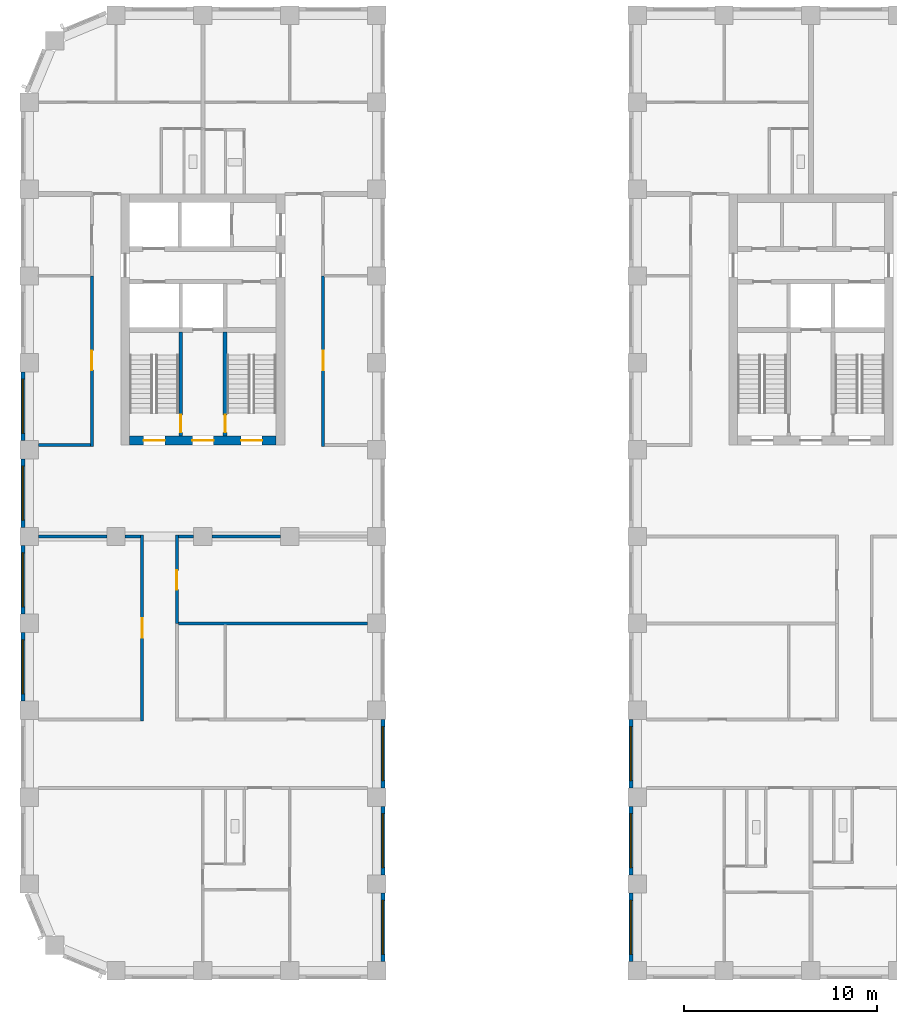
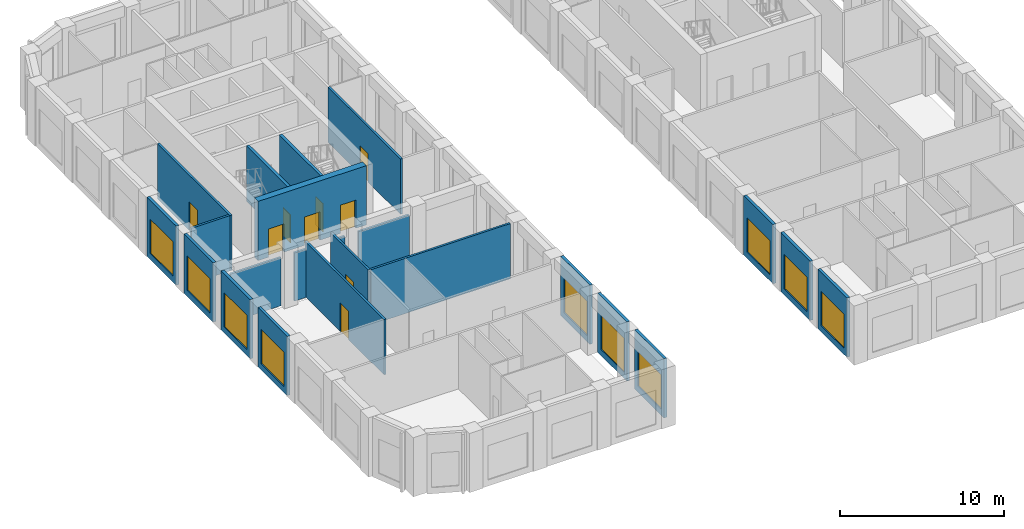
# One storey, part 3 of 13: 23 walls, 10 windows, 9 doors, 19 openings.
"""IFC4 building model written with IfcOpenShell, lengths in metres."""

from ifc_helpers import new_model, si_unit, direction, frame, frame_2d, origin, place, context, subcontext, project, spatial, rectangle, extrude, material, layer, layer_set, type_object, element, fill, save


model = new_model("IFC4")

# Units and contexts
model_context = context("Model", 3, precision=1e-05, world=origin(), true_north=direction((0.0, 1.0)))
body_context = subcontext(model_context, "Body", "Model", "MODEL_VIEW")
ifc_project = project(units=[si_unit("LENGTHUNIT", "METRE"), si_unit("AREAUNIT", "SQUARE_METRE"), si_unit("VOLUMEUNIT", "CUBIC_METRE"), si_unit("PLANEANGLEUNIT", "RADIAN"), si_unit("MASSUNIT", "GRAM", prefix="KILO")], contexts=[model_context])

# Site, building, storey
site_placement = place(None, origin())
site = spatial("IfcSite", under=ifc_project, at=site_placement, CompositionType="ELEMENT")
building_placement = place(site_placement, origin())
building = spatial("IfcBuilding", under=site, at=building_placement, Name="Girih Gate Residences", CompositionType="ELEMENT")
storey_placement = place(building_placement, frame((0.0, 0.0, 159.39990234375)))
storey = spatial("IfcBuildingStorey", under=building, at=storey_placement, Name="L44", CompositionType="ELEMENT", Elevation=159.39990234375)

# Walls
ifc_material_1 = material(Name="Gypsum board on steel studs", Category="steel")
ifc_layer_1 = layer(ifc_material_1, 0.14990234375)
ifc_layer_set_1 = layer_set([ifc_layer_1], Name="Compartment wall 150 mm")
wall_type_1 = type_object("IfcWallType", Name="Compartment wall 150 mm", PredefinedType="PARTITIONING", material=ifc_layer_set_1)
wall_1_placement = place(storey_placement, frame((7.72509765625, 22.5, 0.0), z_axis=(0.0, 0.0, 1.0), x_axis=(1.0, 0.0, 0.0)))
element("IfcWall", 1, at=wall_1_placement, inside=storey, type_object=wall_type_1, Name="L44 partition", PredefinedType="PARTITIONING", context=body_context, shape_type="SweptSolid", body=[
    extrude(rectangle(XDim=0.7998046875, YDim=0.14990234375, at=frame_2d((0.39990234375, 0.0))), origin(), (0.0, 0.0, 1.0), 3.580078125),
])
wall_2_placement = place(storey_placement, frame((9.47509765625, 22.5, 0.0), z_axis=(0.0, 0.0, 1.0), x_axis=(1.0, 0.0, 0.0)))
element("IfcWall", 2, at=wall_2_placement, inside=storey, type_object=wall_type_1, Name="L44 partition", PredefinedType="PARTITIONING", context=body_context, shape_type="SweptSolid", body=[
    extrude(rectangle(XDim=3.5498046875, YDim=0.14990234375, at=frame_2d((1.77490234375, 0.0))), origin(), (0.0, 0.0, 1.0), 3.580078125),
])

# Wall, opening, door
wall_3_placement = place(storey_placement, frame((7.64990234375, 22.574951171875, 0.0), z_axis=(0.0, 0.0, 1.0), x_axis=(0.0, -1.0, 0.0)))
wall_3 = element("IfcWall", 3, at=wall_3_placement, inside=storey, type_object=wall_type_1, Name="L44 partition", PredefinedType="PARTITIONING", context=body_context, shape_type="SweptSolid", body=[
    extrude(rectangle(XDim=4.574951171875, YDim=0.14990234375, at=frame_2d((2.28759765625, 0.0))), origin(), (0.0, 0.0, 1.0), 4.10009765625),
])
opening_1_placement = place(wall_3_placement, frame((1.824951171875, 0.0, 0.0)))
opening_1 = element("IfcOpeningElement", 4, at=opening_1_placement, cuts=wall_3, Name="Opening A44-033", PredefinedType="OPENING", context=body_context, shape_type="SweptSolid", body=[
    extrude(rectangle(XDim=1.0, YDim=2.10009765625, at=frame_2d((0.5, 1.050048828125))), frame((0.0, 0.0849609375, 0.0), z_axis=(0.0, -1.0, 0.0), x_axis=(1.0, 0.0, 0.0)), (0.0, 0.0, 1.0), 0.169921875),
])
ifc_material_2 = material(Name="Timber, fire-rated core", Category="wood")
door_type_1 = type_object("IfcDoorType", Name="Amenity room door 1000x2100 FD30S", OperationType="NOTDEFINED", PredefinedType="DOOR", material=ifc_material_2)
door_1_placement = place(opening_1_placement, origin())
door_1 = element("IfcDoor", 5, at=door_1_placement, inside=storey, type_object=door_type_1, Name="Door A44-033", OperationType="SINGLE_SWING_RIGHT", OverallHeight=2.10009765625, OverallWidth=1.0, PredefinedType="DOOR", context=body_context, shape_type="SweptSolid", body=[
    extrude(rectangle(XDim=1.0, YDim=2.10009765625, at=frame_2d((0.5, 1.050048828125))), frame((0.0, 0.02490234375, 0.0), z_axis=(0.0, -1.0, 0.0), x_axis=(1.0, 0.0, 0.0)), (0.0, 0.0, 1.0), 0.050048828125),
])
fill(opening_1, door_1)

# Wall
wall_4_placement = place(storey_placement, frame((7.72509765625, 18.0, 0.0), z_axis=(0.0, 0.0, 1.0), x_axis=(1.0, 0.0, 0.0)))
element("IfcWall", 6, at=wall_4_placement, inside=storey, type_object=wall_type_1, Name="L44 partition", PredefinedType="PARTITIONING", context=body_context, shape_type="SweptSolid", body=[
    extrude(rectangle(XDim=9.7998046875, YDim=0.14990234375, at=frame_2d((4.89990234375, 0.0))), origin(), (0.0, 0.0, 1.0), 4.10009765625),
])

# Wall, opening, door
wall_5_placement = place(storey_placement, frame((15.22509765625, 36.0, 0.0), z_axis=(0.0, 0.0, 1.0), x_axis=(0.0, -1.0, 0.0)))
wall_5 = element("IfcWall", 7, at=wall_5_placement, inside=storey, type_object=wall_type_1, Name="L44 partition", PredefinedType="PARTITIONING", context=body_context, shape_type="SweptSolid", body=[
    extrude(rectangle(XDim=8.824951171875, YDim=0.14990234375, at=frame_2d((4.41259765625, 0.0))), origin(), (0.0, 0.0, 1.0), 4.10009765625),
])
opening_2_placement = place(wall_5_placement, frame((3.875, 0.0, 0.0)))
opening_2 = element("IfcOpeningElement", 8, at=opening_2_placement, cuts=wall_5, Name="Opening A44-043", PredefinedType="OPENING", context=body_context, shape_type="SweptSolid", body=[
    extrude(rectangle(XDim=1.0, YDim=2.10009765625, at=frame_2d((0.5, 1.050048828125))), frame((0.0, 0.0849609375, 0.0), z_axis=(0.0, -1.0, 0.0), x_axis=(1.0, 0.0, 0.0)), (0.0, 0.0, 1.0), 0.169921875),
])
door_2_placement = place(opening_2_placement, origin())
door_2 = element("IfcDoor", 9, at=door_2_placement, inside=storey, type_object=door_type_1, Name="Door A44-043", OperationType="SINGLE_SWING_LEFT", OverallHeight=2.10009765625, OverallWidth=1.0, PredefinedType="DOOR", context=body_context, shape_type="SweptSolid", body=[
    extrude(rectangle(XDim=1.0, YDim=2.10009765625, at=frame_2d((0.5, 1.050048828125))), frame((0.0, 0.02490234375, 0.0), z_axis=(0.0, -1.0, 0.0), x_axis=(1.0, 0.0, 0.0)), (0.0, 0.0, 1.0), 0.050048828125),
])
fill(opening_2, door_2)

# Wall
wall_6_placement = place(storey_placement, frame((0.47509765625, 27.25, 0.0), z_axis=(0.0, 0.0, 1.0), x_axis=(1.0, 0.0, 0.0)))
element("IfcWall", 10, at=wall_6_placement, inside=storey, type_object=wall_type_1, Name="L44 partition", PredefinedType="PARTITIONING", context=body_context, shape_type="SweptSolid", body=[
    extrude(rectangle(XDim=2.699951171875, YDim=0.14990234375, at=frame_2d((1.35009765625, 0.0))), origin(), (0.0, 0.0, 1.0), 4.10009765625),
])

# Wall, opening, door
wall_7_placement = place(storey_placement, frame((3.25, 27.175048828125, 0.0), z_axis=(0.0, 0.0, 1.0), x_axis=(0.0, 1.0, 0.0)))
wall_7 = element("IfcWall", 11, at=wall_7_placement, inside=storey, type_object=wall_type_1, Name="L44 partition", PredefinedType="PARTITIONING", context=body_context, shape_type="SweptSolid", body=[
    extrude(rectangle(XDim=8.824951171875, YDim=0.14990234375, at=frame_2d((4.41259765625, 0.0))), origin(), (0.0, 0.0, 1.0), 4.10009765625),
])
opening_3_placement = place(wall_7_placement, frame((3.949951171875, 0.0, 0.0)))
opening_3 = element("IfcOpeningElement", 12, at=opening_3_placement, cuts=wall_7, Name="Opening A44-045", PredefinedType="OPENING", context=body_context, shape_type="SweptSolid", body=[
    extrude(rectangle(XDim=1.0, YDim=2.10009765625, at=frame_2d((0.5, 1.050048828125))), frame((0.0, 0.0849609375, 0.0), z_axis=(0.0, -1.0, 0.0), x_axis=(1.0, 0.0, 0.0)), (0.0, 0.0, 1.0), 0.169921875),
])
door_3_placement = place(opening_3_placement, origin())
door_3 = element("IfcDoor", 13, at=door_3_placement, inside=storey, type_object=door_type_1, Name="Door A44-045", OperationType="SINGLE_SWING_RIGHT", OverallHeight=2.10009765625, OverallWidth=1.0, PredefinedType="DOOR", context=body_context, shape_type="SweptSolid", body=[
    extrude(rectangle(XDim=1.0, YDim=2.10009765625, at=frame_2d((0.5, 1.050048828125))), frame((0.0, 0.02490234375, 0.0), z_axis=(0.0, -1.0, 0.0), x_axis=(1.0, 0.0, 0.0)), (0.0, 0.0, 1.0), 0.050048828125),
])
fill(opening_3, door_3)

# Walls
wall_8_placement = place(storey_placement, frame((4.97509765625, 22.5, 0.0), z_axis=(0.0, 0.0, 1.0), x_axis=(1.0, 0.0, 0.0)))
element("IfcWall", 14, at=wall_8_placement, inside=storey, type_object=wall_type_1, Name="L44 partition", PredefinedType="PARTITIONING", context=body_context, shape_type="SweptSolid", body=[
    extrude(rectangle(XDim=0.7998046875, YDim=0.14990234375, at=frame_2d((0.39990234375, 0.0))), origin(), (0.0, 0.0, 1.0), 3.580078125),
])
wall_9_placement = place(storey_placement, frame((0.47509765625, 22.5, 0.0), z_axis=(0.0, 0.0, 1.0), x_axis=(1.0, 0.0, 0.0)))
element("IfcWall", 15, at=wall_9_placement, inside=storey, type_object=wall_type_1, Name="L44 partition", PredefinedType="PARTITIONING", context=body_context, shape_type="SweptSolid", body=[
    extrude(rectangle(XDim=3.5498046875, YDim=0.14990234375, at=frame_2d((1.77490234375, 0.0))), origin(), (0.0, 0.0, 1.0), 3.580078125),
])

# Wall, opening, door
wall_10_placement = place(storey_placement, frame((5.85009765625, 12.949951171875, 0.0), z_axis=(0.0, 0.0, 1.0), x_axis=(0.0, 1.0, 0.0)))
wall_10 = element("IfcWall", 16, at=wall_10_placement, inside=storey, type_object=wall_type_1, Name="L44 partition", PredefinedType="PARTITIONING", context=body_context, shape_type="SweptSolid", body=[
    extrude(rectangle(XDim=9.625, YDim=0.14990234375, at=frame_2d((4.8125, 0.0))), origin(), (0.0, 0.0, 1.0), 4.10009765625),
])
opening_4_placement = place(wall_10_placement, frame((4.3125, 0.0, 0.0)))
opening_4 = element("IfcOpeningElement", 17, at=opening_4_placement, cuts=wall_10, Name="Opening A44-048", PredefinedType="OPENING", context=body_context, shape_type="SweptSolid", body=[
    extrude(rectangle(XDim=1.0, YDim=2.10009765625, at=frame_2d((0.5, 1.050048828125))), frame((0.0, 0.0849609375, 0.0), z_axis=(0.0, -1.0, 0.0), x_axis=(1.0, 0.0, 0.0)), (0.0, 0.0, 1.0), 0.169921875),
])
door_4_placement = place(opening_4_placement, origin())
door_4 = element("IfcDoor", 18, at=door_4_placement, inside=storey, type_object=door_type_1, Name="Door A44-048", OperationType="SINGLE_SWING_RIGHT", OverallHeight=2.10009765625, OverallWidth=1.0, PredefinedType="DOOR", context=body_context, shape_type="SweptSolid", body=[
    extrude(rectangle(XDim=1.0, YDim=2.10009765625, at=frame_2d((0.5, 1.050048828125))), frame((0.0, 0.02490234375, 0.0), z_axis=(0.0, -1.0, 0.0), x_axis=(1.0, 0.0, 0.0)), (0.0, 0.0, 1.0), 0.050048828125),
])
fill(opening_4, door_4)

# Wall, openings, doors
ifc_material_3 = material(Name="Concrete C60/75", Category="concrete")
ifc_layer_2 = layer(ifc_material_3, 0.449951171875)
ifc_layer_set_2 = layer_set([ifc_layer_2], Name="Core wall RC 450 Concrete C60/75")
wall_type_2 = type_object("IfcWallType", Name="Core wall RC 450 Concrete C60/75", PredefinedType="SOLIDWALL", material=ifc_layer_set_2)
wall_11_placement = place(storey_placement, frame((5.199951171875, 27.47509765625, 0.0), z_axis=(0.0, 0.0, 1.0), x_axis=(1.0, 0.0, 0.0)))
wall_11 = element("IfcWall", 19, at=wall_11_placement, inside=storey, type_object=wall_type_2, Name="Core wall W-S L44", PredefinedType="SOLIDWALL", context=body_context, shape_type="SweptSolid", body=[
    extrude(rectangle(XDim=7.60009765625, YDim=0.449951171875, at=frame_2d((3.800048828125, 0.0))), origin(), (0.0, 0.0, 1.0), 4.400146484375),
])
opening_5_placement = place(wall_11_placement, frame((0.72509765625, 0.0, 0.0)))
opening_5 = element("IfcOpeningElement", 20, at=opening_5_placement, cuts=wall_11, Name="Opening D-L44-W-008", PredefinedType="OPENING", context=body_context, shape_type="SweptSolid", body=[
    extrude(rectangle(XDim=1.10009765625, YDim=2.10009765625, at=frame_2d((0.550048828125, 1.050048828125))), frame((0.0, 0.23486328125, 0.0), z_axis=(0.0, -1.0, 0.0), x_axis=(1.0, 0.0, 0.0)), (0.0, 0.0, 1.0), 0.469970703125),
])
opening_6_placement = place(wall_11_placement, frame((3.25, 0.0, 0.0)))
opening_6 = element("IfcOpeningElement", 21, at=opening_6_placement, cuts=wall_11, Name="Opening D-L44-W-009", PredefinedType="OPENING", context=body_context, shape_type="SweptSolid", body=[
    extrude(rectangle(XDim=1.10009765625, YDim=2.10009765625, at=frame_2d((0.550048828125, 1.050048828125))), frame((0.0, 0.23486328125, 0.0), z_axis=(0.0, -1.0, 0.0), x_axis=(1.0, 0.0, 0.0)), (0.0, 0.0, 1.0), 0.469970703125),
])
opening_7_placement = place(wall_11_placement, frame((5.77490234375, 0.0, 0.0)))
opening_7 = element("IfcOpeningElement", 22, at=opening_7_placement, cuts=wall_11, Name="Opening D-L44-W-010", PredefinedType="OPENING", context=body_context, shape_type="SweptSolid", body=[
    extrude(rectangle(XDim=1.10009765625, YDim=2.10009765625, at=frame_2d((0.550048828125, 1.050048828125))), frame((0.0, 0.23486328125, 0.0), z_axis=(0.0, -1.0, 0.0), x_axis=(1.0, 0.0, 0.0)), (0.0, 0.0, 1.0), 0.469970703125),
])
ifc_material_4 = material(Name="Painted steel, fire-resisting", Category="steel")
door_type_2 = type_object("IfcDoorType", Name="Fire door 1100x2100", OperationType="SINGLE_SWING_LEFT", PredefinedType="DOOR", material=ifc_material_4)
door_5_placement = place(opening_5_placement, origin())
door_5 = element("IfcDoor", 23, at=door_5_placement, inside=storey, type_object=door_type_2, Name="L44 W core door sta-out", OperationType="SINGLE_SWING_LEFT", OverallHeight=2.10009765625, OverallWidth=1.10009765625, PredefinedType="DOOR", context=body_context, shape_type="SweptSolid", body=[
    extrude(rectangle(XDim=1.10009765625, YDim=2.10009765625, at=frame_2d((0.550048828125, 1.050048828125))), frame((0.0, 0.02490234375, 0.0), z_axis=(0.0, -1.0, 0.0), x_axis=(1.0, 0.0, 0.0)), (0.0, 0.0, 1.0), 0.050048828125),
])
fill(opening_5, door_5)
door_6_placement = place(opening_6_placement, origin())
door_6 = element("IfcDoor", 24, at=door_6_placement, inside=storey, type_object=door_type_2, Name="L44 W core door ffl-out", OperationType="SINGLE_SWING_LEFT", OverallHeight=2.10009765625, OverallWidth=1.10009765625, PredefinedType="DOOR", context=body_context, shape_type="SweptSolid", body=[
    extrude(rectangle(XDim=1.10009765625, YDim=2.10009765625, at=frame_2d((0.550048828125, 1.050048828125))), frame((0.0, 0.02490234375, 0.0), z_axis=(0.0, -1.0, 0.0), x_axis=(1.0, 0.0, 0.0)), (0.0, 0.0, 1.0), 0.050048828125),
])
fill(opening_6, door_6)
door_7_placement = place(opening_7_placement, origin())
door_7 = element("IfcDoor", 25, at=door_7_placement, inside=storey, type_object=door_type_2, Name="L44 W core door stb-out", OperationType="SINGLE_SWING_LEFT", OverallHeight=2.10009765625, OverallWidth=1.10009765625, PredefinedType="DOOR", context=body_context, shape_type="SweptSolid", body=[
    extrude(rectangle(XDim=1.10009765625, YDim=2.10009765625, at=frame_2d((0.550048828125, 1.050048828125))), frame((0.0, 0.02490234375, 0.0), z_axis=(0.0, -1.0, 0.0), x_axis=(1.0, 0.0, 0.0)), (0.0, 0.0, 1.0), 0.050048828125),
])
fill(opening_7, door_7)

# Wall, opening, window
ifc_material_5 = material(Name="Precast concrete C50/60", Category="concrete")
ifc_layer_3 = layer(ifc_material_5, 0.06005859375, Name="Outer leaf")
ifc_material_6 = material(Name="Rigid PIR insulation")
ifc_layer_4 = layer(ifc_material_6, 0.090087890625, Name="Insulation")
ifc_material_7 = material(Name="Precast concrete C40/50", Category="concrete")
ifc_layer_5 = layer(ifc_material_7, 0.050048828125, Name="Inner leaf")
ifc_layer_set_3 = layer_set([ifc_layer_3, ifc_layer_4, ifc_layer_5], Name="Precast concrete C50/60 external wall 200")
wall_type_3 = type_object("IfcWallType", Name="Precast concrete C50/60 external wall 200", PredefinedType="SOLIDWALL", material=ifc_layer_set_3)
wall_12_placement = place(storey_placement, frame((-0.324951171875, 27.47509765625, 0.0), z_axis=(0.0, 0.0, 1.0), x_axis=(0.0, 1.0, 0.0)))
wall_12 = element("IfcWall", 26, at=wall_12_placement, inside=storey, type_object=wall_type_3, Name="External wall W0000_0450.3", PredefinedType="SOLIDWALL", context=body_context, shape_type="SweptSolid", body=[
    extrude(rectangle(XDim=3.5498046875, YDim=0.199951171875, at=frame_2d((1.77490234375, 0.0))), origin(), (0.0, 0.0, 1.0), 4.400146484375),
])
opening_8_placement = place(wall_12_placement, frame((0.375, 0.0, 0.449951171875)))
opening_8 = element("IfcOpeningElement", 27, at=opening_8_placement, cuts=wall_12, Name="Opening W-6A", PredefinedType="OPENING", context=body_context, shape_type="SweptSolid", body=[
    extrude(rectangle(XDim=2.800048828125, YDim=2.550048828125, at=frame_2d((1.39990234375, 1.27490234375))), frame((0.0, 0.10986328125, 0.0), z_axis=(0.0, -1.0, 0.0), x_axis=(1.0, 0.0, 0.0)), (0.0, 0.0, 1.0), 0.219970703125),
])
ifc_material_8 = material(Name="Double glazing in aluminium frame", Category="aluminium")
window_type = type_object("IfcWindowType", Name="Window W-6A 2800x2550", PartitioningType="SINGLE_PANEL", PredefinedType="WINDOW", material=ifc_material_8)
window_1_placement = place(opening_8_placement, origin())
window_1 = element("IfcWindow", 28, at=window_1_placement, inside=storey, type_object=window_type, Name="Window W-6A W0000_0450.3", OverallHeight=2.550048828125, OverallWidth=2.800048828125, PartitioningType="SINGLE_PANEL", PredefinedType="WINDOW", context=body_context, shape_type="SweptSolid", body=[
    extrude(rectangle(XDim=2.800048828125, YDim=2.550048828125, at=frame_2d((1.39990234375, 1.27490234375))), frame((0.0, 0.030029296875, 0.0), z_axis=(0.0, -1.0, 0.0), x_axis=(1.0, 0.0, 0.0)), (0.0, 0.0, 1.0), 0.06005859375),
])
fill(opening_8, window_1)

wall_13_placement = place(storey_placement, frame((-0.324951171875, 22.97509765625, 0.0), z_axis=(0.0, 0.0, 1.0), x_axis=(0.0, 1.0, 0.0)))
wall_13 = element("IfcWall", 29, at=wall_13_placement, inside=storey, type_object=wall_type_3, Name="External wall W0000_0450.4", PredefinedType="SOLIDWALL", context=body_context, shape_type="SweptSolid", body=[
    extrude(rectangle(XDim=3.5498046875, YDim=0.199951171875, at=frame_2d((1.77490234375, 0.0))), origin(), (0.0, 0.0, 1.0), 4.400146484375),
])
opening_9_placement = place(wall_13_placement, frame((0.375, 0.0, 0.449951171875)))
opening_9 = element("IfcOpeningElement", 30, at=opening_9_placement, cuts=wall_13, Name="Opening W-6A", PredefinedType="OPENING", context=body_context, shape_type="SweptSolid", body=[
    extrude(rectangle(XDim=2.800048828125, YDim=2.550048828125, at=frame_2d((1.39990234375, 1.27490234375))), frame((0.0, 0.10986328125, 0.0), z_axis=(0.0, -1.0, 0.0), x_axis=(1.0, 0.0, 0.0)), (0.0, 0.0, 1.0), 0.219970703125),
])
window_2_placement = place(opening_9_placement, origin())
window_2 = element("IfcWindow", 31, at=window_2_placement, inside=storey, type_object=window_type, Name="Window W-6A W0000_0450.4", OverallHeight=2.550048828125, OverallWidth=2.800048828125, PartitioningType="SINGLE_PANEL", PredefinedType="WINDOW", context=body_context, shape_type="SweptSolid", body=[
    extrude(rectangle(XDim=2.800048828125, YDim=2.550048828125, at=frame_2d((1.39990234375, 1.27490234375))), frame((0.0, 0.030029296875, 0.0), z_axis=(0.0, -1.0, 0.0), x_axis=(1.0, 0.0, 0.0)), (0.0, 0.0, 1.0), 0.06005859375),
])
fill(opening_9, window_2)

wall_14_placement = place(storey_placement, frame((-0.324951171875, 18.47509765625, 0.0), z_axis=(0.0, 0.0, 1.0), x_axis=(0.0, 1.0, 0.0)))
wall_14 = element("IfcWall", 32, at=wall_14_placement, inside=storey, type_object=wall_type_3, Name="External wall W0000_0450.5", PredefinedType="SOLIDWALL", context=body_context, shape_type="SweptSolid", body=[
    extrude(rectangle(XDim=3.5498046875, YDim=0.199951171875, at=frame_2d((1.77490234375, 0.0))), origin(), (0.0, 0.0, 1.0), 4.400146484375),
])
opening_10_placement = place(wall_14_placement, frame((0.375, 0.0, 0.449951171875)))
opening_10 = element("IfcOpeningElement", 33, at=opening_10_placement, cuts=wall_14, Name="Opening W-6A", PredefinedType="OPENING", context=body_context, shape_type="SweptSolid", body=[
    extrude(rectangle(XDim=2.800048828125, YDim=2.550048828125, at=frame_2d((1.39990234375, 1.27490234375))), frame((0.0, 0.10986328125, 0.0), z_axis=(0.0, -1.0, 0.0), x_axis=(1.0, 0.0, 0.0)), (0.0, 0.0, 1.0), 0.219970703125),
])
window_3_placement = place(opening_10_placement, origin())
window_3 = element("IfcWindow", 34, at=window_3_placement, inside=storey, type_object=window_type, Name="Window W-6A W0000_0450.5", OverallHeight=2.550048828125, OverallWidth=2.800048828125, PartitioningType="SINGLE_PANEL", PredefinedType="WINDOW", context=body_context, shape_type="SweptSolid", body=[
    extrude(rectangle(XDim=2.800048828125, YDim=2.550048828125, at=frame_2d((1.39990234375, 1.27490234375))), frame((0.0, 0.030029296875, 0.0), z_axis=(0.0, -1.0, 0.0), x_axis=(1.0, 0.0, 0.0)), (0.0, 0.0, 1.0), 0.06005859375),
])
fill(opening_10, window_3)

wall_15_placement = place(storey_placement, frame((-0.324951171875, 13.97509765625, 0.0), z_axis=(0.0, 0.0, 1.0), x_axis=(0.0, 1.0, 0.0)))
wall_15 = element("IfcWall", 35, at=wall_15_placement, inside=storey, type_object=wall_type_3, Name="External wall W0000_0450.6", PredefinedType="SOLIDWALL", context=body_context, shape_type="SweptSolid", body=[
    extrude(rectangle(XDim=3.5498046875, YDim=0.199951171875, at=frame_2d((1.77490234375, 0.0))), origin(), (0.0, 0.0, 1.0), 4.400146484375),
])
opening_11_placement = place(wall_15_placement, frame((0.375, 0.0, 0.449951171875)))
opening_11 = element("IfcOpeningElement", 36, at=opening_11_placement, cuts=wall_15, Name="Opening W-6A", PredefinedType="OPENING", context=body_context, shape_type="SweptSolid", body=[
    extrude(rectangle(XDim=2.800048828125, YDim=2.550048828125, at=frame_2d((1.39990234375, 1.27490234375))), frame((0.0, 0.10986328125, 0.0), z_axis=(0.0, -1.0, 0.0), x_axis=(1.0, 0.0, 0.0)), (0.0, 0.0, 1.0), 0.219970703125),
])
window_4_placement = place(opening_11_placement, origin())
window_4 = element("IfcWindow", 37, at=window_4_placement, inside=storey, type_object=window_type, Name="Window W-6A W0000_0450.6", OverallHeight=2.550048828125, OverallWidth=2.800048828125, PartitioningType="SINGLE_PANEL", PredefinedType="WINDOW", context=body_context, shape_type="SweptSolid", body=[
    extrude(rectangle(XDim=2.800048828125, YDim=2.550048828125, at=frame_2d((1.39990234375, 1.27490234375))), frame((0.0, 0.030029296875, 0.0), z_axis=(0.0, -1.0, 0.0), x_axis=(1.0, 0.0, 0.0)), (0.0, 0.0, 1.0), 0.06005859375),
])
fill(opening_11, window_4)

wall_16_placement = place(storey_placement, frame((18.324951171875, 4.02490234375, 0.0), z_axis=(0.0, 0.0, 1.0), x_axis=(0.0, -1.0, 0.0)))
wall_16 = element("IfcWall", 38, at=wall_16_placement, inside=storey, type_object=wall_type_3, Name="External wall E0180_0000.0", PredefinedType="SOLIDWALL", context=body_context, shape_type="SweptSolid", body=[
    extrude(rectangle(XDim=3.5498046875, YDim=0.199951171875, at=frame_2d((1.77490234375, 0.0))), origin(), (0.0, 0.0, 1.0), 4.400146484375),
])
opening_12_placement = place(wall_16_placement, frame((0.375, 0.0, 0.449951171875)))
opening_12 = element("IfcOpeningElement", 39, at=opening_12_placement, cuts=wall_16, Name="Opening W-6A", PredefinedType="OPENING", context=body_context, shape_type="SweptSolid", body=[
    extrude(rectangle(XDim=2.800048828125, YDim=2.550048828125, at=frame_2d((1.39990234375, 1.27490234375))), frame((0.0, 0.10986328125, 0.0), z_axis=(0.0, -1.0, 0.0), x_axis=(1.0, 0.0, 0.0)), (0.0, 0.0, 1.0), 0.219970703125),
])
window_5_placement = place(opening_12_placement, origin())
window_5 = element("IfcWindow", 40, at=window_5_placement, inside=storey, type_object=window_type, Name="Window W-6A E0180_0000.0", OverallHeight=2.550048828125, OverallWidth=2.800048828125, PartitioningType="SINGLE_PANEL", PredefinedType="WINDOW", context=body_context, shape_type="SweptSolid", body=[
    extrude(rectangle(XDim=2.800048828125, YDim=2.550048828125, at=frame_2d((1.39990234375, 1.27490234375))), frame((0.0, 0.030029296875, 0.0), z_axis=(0.0, -1.0, 0.0), x_axis=(1.0, 0.0, 0.0)), (0.0, 0.0, 1.0), 0.06005859375),
])
fill(opening_12, window_5)

wall_17_placement = place(storey_placement, frame((18.324951171875, 8.52490234375, 0.0), z_axis=(0.0, 0.0, 1.0), x_axis=(0.0, -1.0, 0.0)))
wall_17 = element("IfcWall", 41, at=wall_17_placement, inside=storey, type_object=wall_type_3, Name="External wall E0180_0000.1", PredefinedType="SOLIDWALL", context=body_context, shape_type="SweptSolid", body=[
    extrude(rectangle(XDim=3.5498046875, YDim=0.199951171875, at=frame_2d((1.77490234375, 0.0))), origin(), (0.0, 0.0, 1.0), 4.400146484375),
])
opening_13_placement = place(wall_17_placement, frame((0.375, 0.0, 0.449951171875)))
opening_13 = element("IfcOpeningElement", 42, at=opening_13_placement, cuts=wall_17, Name="Opening W-6A", PredefinedType="OPENING", context=body_context, shape_type="SweptSolid", body=[
    extrude(rectangle(XDim=2.800048828125, YDim=2.550048828125, at=frame_2d((1.39990234375, 1.27490234375))), frame((0.0, 0.10986328125, 0.0), z_axis=(0.0, -1.0, 0.0), x_axis=(1.0, 0.0, 0.0)), (0.0, 0.0, 1.0), 0.219970703125),
])
window_6_placement = place(opening_13_placement, origin())
window_6 = element("IfcWindow", 43, at=window_6_placement, inside=storey, type_object=window_type, Name="Window W-6A E0180_0000.1", OverallHeight=2.550048828125, OverallWidth=2.800048828125, PartitioningType="SINGLE_PANEL", PredefinedType="WINDOW", context=body_context, shape_type="SweptSolid", body=[
    extrude(rectangle(XDim=2.800048828125, YDim=2.550048828125, at=frame_2d((1.39990234375, 1.27490234375))), frame((0.0, 0.030029296875, 0.0), z_axis=(0.0, -1.0, 0.0), x_axis=(1.0, 0.0, 0.0)), (0.0, 0.0, 1.0), 0.06005859375),
])
fill(opening_13, window_6)

wall_18_placement = place(storey_placement, frame((18.324951171875, 13.02490234375, 0.0), z_axis=(0.0, 0.0, 1.0), x_axis=(0.0, -1.0, 0.0)))
wall_18 = element("IfcWall", 44, at=wall_18_placement, inside=storey, type_object=wall_type_3, Name="External wall E0180_0000.2", PredefinedType="SOLIDWALL", context=body_context, shape_type="SweptSolid", body=[
    extrude(rectangle(XDim=3.5498046875, YDim=0.199951171875, at=frame_2d((1.77490234375, 0.0))), origin(), (0.0, 0.0, 1.0), 4.400146484375),
])
opening_14_placement = place(wall_18_placement, frame((0.375, 0.0, 0.449951171875)))
opening_14 = element("IfcOpeningElement", 45, at=opening_14_placement, cuts=wall_18, Name="Opening W-6A", PredefinedType="OPENING", context=body_context, shape_type="SweptSolid", body=[
    extrude(rectangle(XDim=2.800048828125, YDim=2.550048828125, at=frame_2d((1.39990234375, 1.27490234375))), frame((0.0, 0.10986328125, 0.0), z_axis=(0.0, -1.0, 0.0), x_axis=(1.0, 0.0, 0.0)), (0.0, 0.0, 1.0), 0.219970703125),
])
window_7_placement = place(opening_14_placement, origin())
window_7 = element("IfcWindow", 46, at=window_7_placement, inside=storey, type_object=window_type, Name="Window W-6A E0180_0000.2", OverallHeight=2.550048828125, OverallWidth=2.800048828125, PartitioningType="SINGLE_PANEL", PredefinedType="WINDOW", context=body_context, shape_type="SweptSolid", body=[
    extrude(rectangle(XDim=2.800048828125, YDim=2.550048828125, at=frame_2d((1.39990234375, 1.27490234375))), frame((0.0, 0.030029296875, 0.0), z_axis=(0.0, -1.0, 0.0), x_axis=(1.0, 0.0, 0.0)), (0.0, 0.0, 1.0), 0.06005859375),
])
fill(opening_14, window_7)

wall_19_placement = place(storey_placement, frame((31.175048828125, 9.47509765625, 0.0), z_axis=(0.0, 0.0, 1.0), x_axis=(0.0, 1.0, 0.0)))
wall_19 = element("IfcWall", 47, at=wall_19_placement, inside=storey, type_object=wall_type_3, Name="External wall W0315_0495.8", PredefinedType="SOLIDWALL", context=body_context, shape_type="SweptSolid", body=[
    extrude(rectangle(XDim=3.5498046875, YDim=0.199951171875, at=frame_2d((1.77490234375, 0.0))), origin(), (0.0, 0.0, 1.0), 4.400146484375),
])
opening_15_placement = place(wall_19_placement, frame((0.375, 0.0, 0.449951171875)))
opening_15 = element("IfcOpeningElement", 48, at=opening_15_placement, cuts=wall_19, Name="Opening W-6A", PredefinedType="OPENING", context=body_context, shape_type="SweptSolid", body=[
    extrude(rectangle(XDim=2.800048828125, YDim=2.550048828125, at=frame_2d((1.39990234375, 1.27490234375))), frame((0.0, 0.10986328125, 0.0), z_axis=(0.0, -1.0, 0.0), x_axis=(1.0, 0.0, 0.0)), (0.0, 0.0, 1.0), 0.219970703125),
])
window_8_placement = place(opening_15_placement, origin())
window_8 = element("IfcWindow", 49, at=window_8_placement, inside=storey, type_object=window_type, Name="Window W-6A W0315_0495.8", OverallHeight=2.550048828125, OverallWidth=2.800048828125, PartitioningType="SINGLE_PANEL", PredefinedType="WINDOW", context=body_context, shape_type="SweptSolid", body=[
    extrude(rectangle(XDim=2.800048828125, YDim=2.550048828125, at=frame_2d((1.39990234375, 1.27490234375))), frame((0.0, 0.030029296875, 0.0), z_axis=(0.0, -1.0, 0.0), x_axis=(1.0, 0.0, 0.0)), (0.0, 0.0, 1.0), 0.06005859375),
])
fill(opening_15, window_8)

wall_20_placement = place(storey_placement, frame((31.175048828125, 4.97509765625, 0.0), z_axis=(0.0, 0.0, 1.0), x_axis=(0.0, 1.0, 0.0)))
wall_20 = element("IfcWall", 50, at=wall_20_placement, inside=storey, type_object=wall_type_3, Name="External wall W0315_0495.9", PredefinedType="SOLIDWALL", context=body_context, shape_type="SweptSolid", body=[
    extrude(rectangle(XDim=3.5498046875, YDim=0.199951171875, at=frame_2d((1.77490234375, 0.0))), origin(), (0.0, 0.0, 1.0), 4.400146484375),
])
opening_16_placement = place(wall_20_placement, frame((0.375, 0.0, 0.449951171875)))
opening_16 = element("IfcOpeningElement", 51, at=opening_16_placement, cuts=wall_20, Name="Opening W-6A", PredefinedType="OPENING", context=body_context, shape_type="SweptSolid", body=[
    extrude(rectangle(XDim=2.800048828125, YDim=2.550048828125, at=frame_2d((1.39990234375, 1.27490234375))), frame((0.0, 0.10986328125, 0.0), z_axis=(0.0, -1.0, 0.0), x_axis=(1.0, 0.0, 0.0)), (0.0, 0.0, 1.0), 0.219970703125),
])
window_9_placement = place(opening_16_placement, origin())
window_9 = element("IfcWindow", 52, at=window_9_placement, inside=storey, type_object=window_type, Name="Window W-6A W0315_0495.9", OverallHeight=2.550048828125, OverallWidth=2.800048828125, PartitioningType="SINGLE_PANEL", PredefinedType="WINDOW", context=body_context, shape_type="SweptSolid", body=[
    extrude(rectangle(XDim=2.800048828125, YDim=2.550048828125, at=frame_2d((1.39990234375, 1.27490234375))), frame((0.0, 0.030029296875, 0.0), z_axis=(0.0, -1.0, 0.0), x_axis=(1.0, 0.0, 0.0)), (0.0, 0.0, 1.0), 0.06005859375),
])
fill(opening_16, window_9)

wall_21_placement = place(storey_placement, frame((31.175048828125, 0.47509765625, 0.0), z_axis=(0.0, 0.0, 1.0), x_axis=(0.0, 1.0, 0.0)))
wall_21 = element("IfcWall", 53, at=wall_21_placement, inside=storey, type_object=wall_type_3, Name="External wall W0315_0495.10", PredefinedType="SOLIDWALL", context=body_context, shape_type="SweptSolid", body=[
    extrude(rectangle(XDim=3.5498046875, YDim=0.199951171875, at=frame_2d((1.77490234375, 0.0))), origin(), (0.0, 0.0, 1.0), 4.400146484375),
])
opening_17_placement = place(wall_21_placement, frame((0.375, 0.0, 0.449951171875)))
opening_17 = element("IfcOpeningElement", 54, at=opening_17_placement, cuts=wall_21, Name="Opening W-6A", PredefinedType="OPENING", context=body_context, shape_type="SweptSolid", body=[
    extrude(rectangle(XDim=2.800048828125, YDim=2.550048828125, at=frame_2d((1.39990234375, 1.27490234375))), frame((0.0, 0.10986328125, 0.0), z_axis=(0.0, -1.0, 0.0), x_axis=(1.0, 0.0, 0.0)), (0.0, 0.0, 1.0), 0.219970703125),
])
window_10_placement = place(opening_17_placement, origin())
window_10 = element("IfcWindow", 55, at=window_10_placement, inside=storey, type_object=window_type, Name="Window W-6A W0315_0495.10", OverallHeight=2.550048828125, OverallWidth=2.800048828125, PartitioningType="SINGLE_PANEL", PredefinedType="WINDOW", context=body_context, shape_type="SweptSolid", body=[
    extrude(rectangle(XDim=2.800048828125, YDim=2.550048828125, at=frame_2d((1.39990234375, 1.27490234375))), frame((0.0, 0.030029296875, 0.0), z_axis=(0.0, -1.0, 0.0), x_axis=(1.0, 0.0, 0.0)), (0.0, 0.0, 1.0), 0.06005859375),
])
fill(opening_17, window_10)

# Wall, opening, door
ifc_material_9 = material(Name="Concrete C40/50", Category="concrete")
ifc_layer_6 = layer(ifc_material_9, 0.199951171875)
ifc_layer_set_4 = layer_set([ifc_layer_6], Name="Shaft wall 200")
wall_type_4 = type_object("IfcWallType", Name="Shaft wall 200", PredefinedType="SOLIDWALL", material=ifc_layer_set_4)
wall_22_placement = place(storey_placement, frame((7.85009765625, 27.699951171875, 0.0), z_axis=(0.0, 0.0, 1.0), x_axis=(0.0, 1.0, 0.0)))
wall_22 = element("IfcWall", 56, at=wall_22_placement, inside=storey, type_object=wall_type_4, Name="L44 W core wall V1a", PredefinedType="SOLIDWALL", context=body_context, shape_type="SweptSolid", body=[
    extrude(rectangle(XDim=5.400146484375, YDim=0.199951171875, at=frame_2d((2.7001953125, 0.0))), origin(), (0.0, 0.0, 1.0), 4.10009765625),
])
opening_18_placement = place(wall_22_placement, frame((0.199951171875, 0.0, 0.0)))
opening_18 = element("IfcOpeningElement", 57, at=opening_18_placement, cuts=wall_22, Name="Opening D-L44-W-001", PredefinedType="OPENING", context=body_context, shape_type="SweptSolid", body=[
    extrude(rectangle(XDim=0.89990234375, YDim=2.10009765625, at=frame_2d((0.449951171875, 1.050048828125))), frame((0.0, 0.10986328125, 0.0), z_axis=(0.0, -1.0, 0.0), x_axis=(1.0, 0.0, 0.0)), (0.0, 0.0, 1.0), 0.219970703125),
])
door_type_3 = type_object("IfcDoorType", Name="Fire door 900x2100", OperationType="SINGLE_SWING_LEFT", PredefinedType="DOOR", material=ifc_material_4)
door_8_placement = place(opening_18_placement, origin())
door_8 = element("IfcDoor", 58, at=door_8_placement, inside=storey, type_object=door_type_3, Name="L44 W door stair 1 to firefighting lobby", OperationType="SINGLE_SWING_LEFT", OverallHeight=2.10009765625, OverallWidth=0.89990234375, PredefinedType="DOOR", context=body_context, shape_type="SweptSolid", body=[
    extrude(rectangle(XDim=0.89990234375, YDim=2.10009765625, at=frame_2d((0.449951171875, 1.050048828125))), frame((0.0, 0.02490234375, 0.0), z_axis=(0.0, -1.0, 0.0), x_axis=(1.0, 0.0, 0.0)), (0.0, 0.0, 1.0), 0.050048828125),
])
fill(opening_18, door_8)

wall_23_placement = place(storey_placement, frame((10.14990234375, 27.699951171875, 0.0), z_axis=(0.0, 0.0, 1.0), x_axis=(0.0, 1.0, 0.0)))
wall_23 = element("IfcWall", 59, at=wall_23_placement, inside=storey, type_object=wall_type_4, Name="L44 W core wall V2a", PredefinedType="SOLIDWALL", context=body_context, shape_type="SweptSolid", body=[
    extrude(rectangle(XDim=5.400146484375, YDim=0.199951171875, at=frame_2d((2.7001953125, 0.0))), origin(), (0.0, 0.0, 1.0), 4.10009765625),
])
opening_19_placement = place(wall_23_placement, frame((0.199951171875, 0.0, 0.0)))
opening_19 = element("IfcOpeningElement", 60, at=opening_19_placement, cuts=wall_23, Name="Opening D-L44-W-002", PredefinedType="OPENING", context=body_context, shape_type="SweptSolid", body=[
    extrude(rectangle(XDim=0.89990234375, YDim=2.10009765625, at=frame_2d((0.449951171875, 1.050048828125))), frame((0.0, 0.10986328125, 0.0), z_axis=(0.0, -1.0, 0.0), x_axis=(1.0, 0.0, 0.0)), (0.0, 0.0, 1.0), 0.219970703125),
])
door_9_placement = place(opening_19_placement, origin())
door_9 = element("IfcDoor", 61, at=door_9_placement, inside=storey, type_object=door_type_3, Name="L44 W door stair 2 to firefighting lobby", OperationType="SINGLE_SWING_LEFT", OverallHeight=2.10009765625, OverallWidth=0.89990234375, PredefinedType="DOOR", context=body_context, shape_type="SweptSolid", body=[
    extrude(rectangle(XDim=0.89990234375, YDim=2.10009765625, at=frame_2d((0.449951171875, 1.050048828125))), frame((0.0, 0.02490234375, 0.0), z_axis=(0.0, -1.0, 0.0), x_axis=(1.0, 0.0, 0.0)), (0.0, 0.0, 1.0), 0.050048828125),
])
fill(opening_19, door_9)

save(model, "model.ifc")
